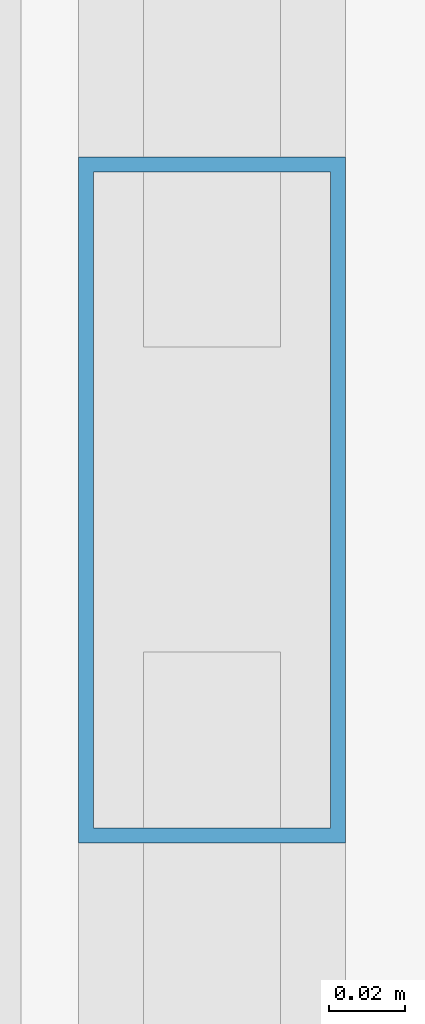
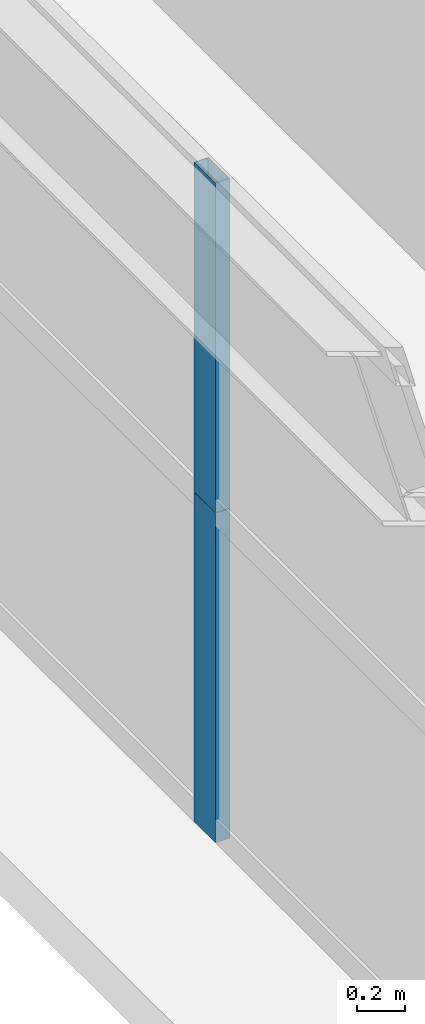
# One storey, part 21 of 41: 2 members, 1 element without a shape of its own.
"""IFC4 building model written with IfcOpenShell, lengths in metres."""

from ifc_helpers import new_model, si_unit, direction, frame, origin, origin_2d, place, context, subcontext, project, spatial, hollow_rectangle, extrude, source, transform, mapped, material, layer, layer_set, material_profile, profile_set, type_object, element, aggregate, save


model = new_model("IFC4")

# Units and contexts
model_context = context("Model", 3, precision=1e-05, world=origin(), true_north=direction((0.0, 1.0)))
body_context = subcontext(model_context, "Body", "Model", "MODEL_VIEW")
ifc_project = project(units=[si_unit("LENGTHUNIT", "METRE"), si_unit("AREAUNIT", "SQUARE_METRE"), si_unit("VOLUMEUNIT", "CUBIC_METRE"), si_unit("PLANEANGLEUNIT", "RADIAN"), si_unit("MASSUNIT", "GRAM", prefix="KILO"), si_unit("THERMODYNAMICTEMPERATUREUNIT", "KELVIN"), si_unit("POWERUNIT", "WATT")], contexts=[model_context])

# Site, building, storey
site_placement = place(None, origin())
site = spatial("IfcSite", under=ifc_project, at=site_placement, CompositionType="ELEMENT")
building_placement = place(site_placement, origin())
building = spatial("IfcBuilding", under=site, at=building_placement, Name="Yuzanri Waterfront Tower", CompositionType="ELEMENT")
storey_placement = place(building_placement, frame((0.0, 0.0, 122.60009765625)))
storey = spatial("IfcBuildingStorey", under=building, at=storey_placement, Name="L32", CompositionType="ELEMENT", Elevation=122.60009765625)

# Curtain wall, members
ifc_material_1 = material(Name="Anodized Architectural Bronze", Category="metal")
ifc_layer = layer(ifc_material_1, 0.159912109375)
ifc_layer_set = layer_set([ifc_layer], Name="Anodized Architectural Bronze")
curtain_wall_type = type_object("IfcCurtainWallType", Name="Anodized Bronze Hotel Upper-Tier Solar-Control Unitized Curtain Wall 7800", PredefinedType="NOTDEFINED", material=ifc_layer_set)
curtain_wall_placement = place(storey_placement, origin())
curtain_wall = element("IfcCurtainWall", 1, at=curtain_wall_placement, inside=storey, type_object=curtain_wall_type, Name="L32 Curtain Wall CW-L32-WR", PredefinedType="NOTDEFINED")
ifc_material_2 = material(Name="Anodized Architectural Bronze", Category="metal")
ifc_material_profile = material_profile(ifc_material_2, hollow_rectangle(XDim=0.070068359375, YDim=0.179931640625, WallThickness=0.00390625, at=origin_2d()), Name="CWM 70x180")
ifc_profile_set = profile_set([ifc_material_profile], Name="Anodized Architectural Bronze")
member_type = type_object("IfcMemberType", Name="Anodized Bronze Standard Curtain-Wall Mullion 70x180", PredefinedType="MULLION", material=ifc_profile_set)
shared_shape = source(origin(), body_context, "Body", "SweptSolid", [
    extrude(hollow_rectangle(XDim=0.070068359375, YDim=0.179931640625, WallThickness=0.00390625, at=origin_2d()), origin(), (0.0, 0.0, 1.0), 1.68798828125),
])
member_1_placement = place(storey_placement, frame((13.550048828125, 34.14990234375, 0.0), z_axis=(0.0, 0.0, 1.0), x_axis=(1.0, 0.0, 0.0)))
member_1 = element("IfcMember", 2, at=member_1_placement, type_object=member_type, Name="CW-L32-WR Lower Mullion 01", PredefinedType="MULLION", context=body_context, shape_type="MappedRepresentation", body=[
    mapped(shared_shape, transform((0.0, 0.0, 0.0), scale=1.0)),
])
member_2_placement = place(storey_placement, frame((13.550048828125, 34.14990234375, 1.69189453125), z_axis=(0.0, 0.0, 1.0), x_axis=(1.0, 0.0, 0.0)))
member_2 = element("IfcMember", 3, at=member_2_placement, type_object=member_type, Name="CW-L32-WR Upper Mullion 01", PredefinedType="MULLION", context=body_context, shape_type="MappedRepresentation", body=[
    mapped(shared_shape, transform((0.0, 0.0, 0.0), scale=1.0)),
])
aggregate(curtain_wall, [member_1, member_2])

save(model, "model.ifc")
